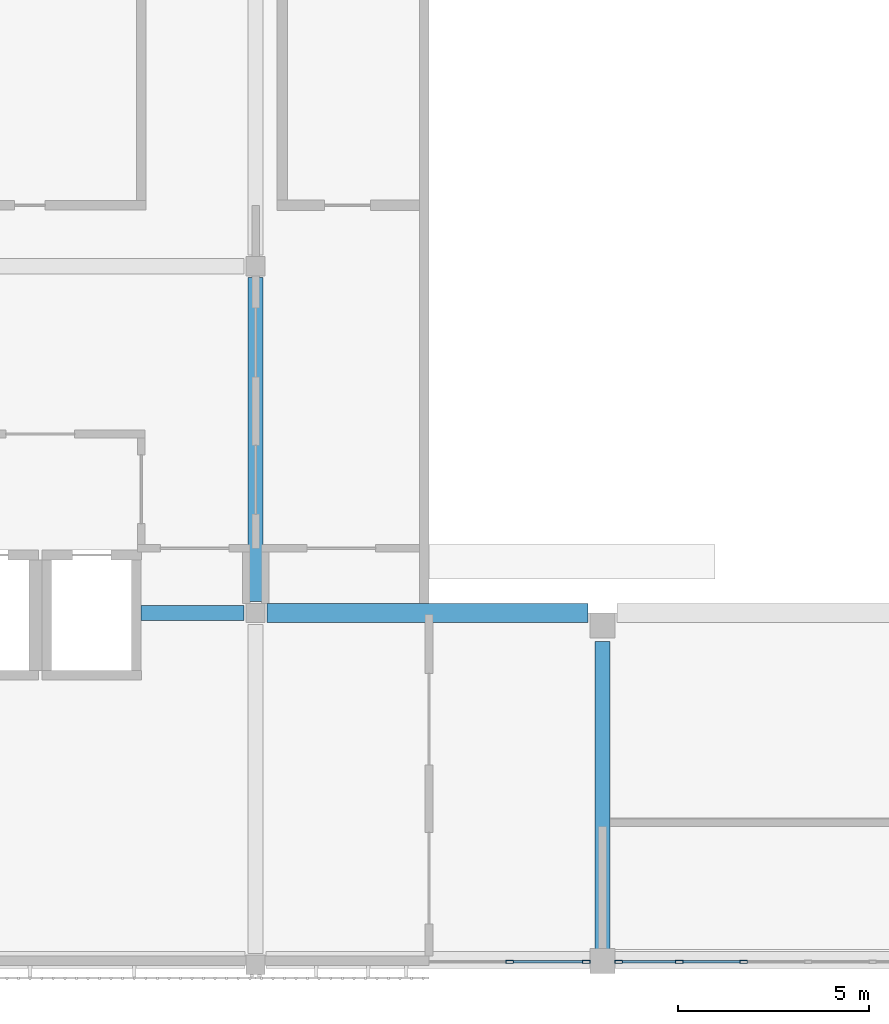
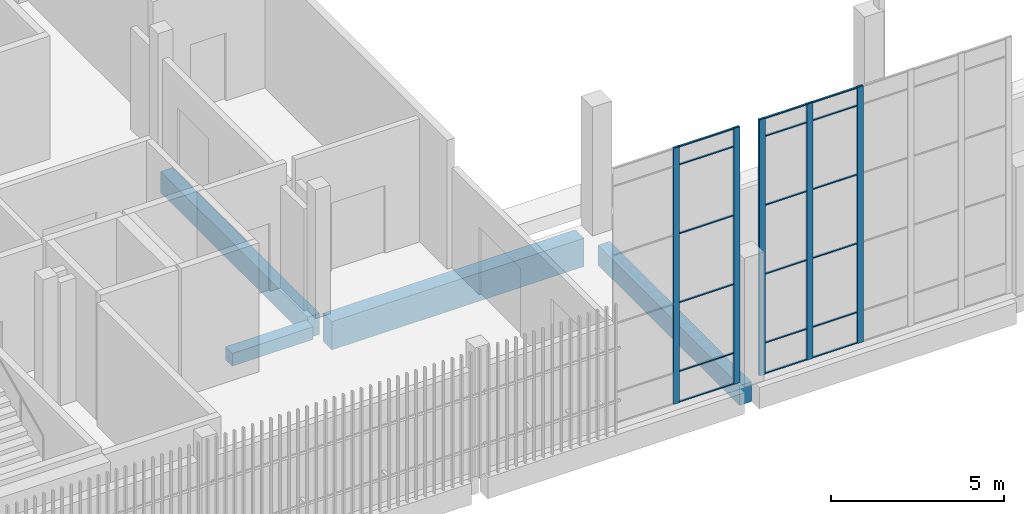
# One storey, part 4 of 91: 23 members, 4 beams, 2 elements without a shape of their own.
"""IFC4 building model written with IfcOpenShell, lengths in metres."""

from ifc_helpers import new_model, si_unit, direction, frame, origin, origin_2d, place, context, subcontext, project, spatial, rectangle, hollow_rectangle, extrude, material, layer, layer_set, material_profile, profile_set, type_object, element, aggregate, save


model = new_model("IFC4")

# Units and contexts
model_context = context("Model", 3, precision=1e-05, world=origin(), true_north=direction((0.0, 1.0)))
body_context = subcontext(model_context, "Body", "Model", "MODEL_VIEW")
ifc_project = project(units=[si_unit("LENGTHUNIT", "METRE"), si_unit("AREAUNIT", "SQUARE_METRE"), si_unit("VOLUMEUNIT", "CUBIC_METRE"), si_unit("PLANEANGLEUNIT", "RADIAN"), si_unit("MASSUNIT", "GRAM", prefix="KILO")], contexts=[model_context])

# Site, building, storey
site_placement = place(None, origin())
site = spatial("IfcSite", under=ifc_project, at=site_placement, CompositionType="ELEMENT")
building_placement = place(site_placement, origin())
building = spatial("IfcBuilding", under=site, at=building_placement, Name="Shirokan Park Arena", CompositionType="ELEMENT")
storey_placement = place(building_placement, frame((0.0, 0.0, 24.570068359375)))
storey = spatial("IfcBuildingStorey", under=building, at=storey_placement, Name="L05", CompositionType="ELEMENT", Elevation=24.570068359375)

# Curtain wall, members
ifc_material_1 = material(Name="Steel and glass curtain wall", Category="steel")
ifc_layer = layer(ifc_material_1, 0.199951171875)
ifc_layer_set = layer_set([ifc_layer], Name="Steel and glass curtain wall 200 mm")
curtain_wall_type = type_object("IfcCurtainWallType", Name="Curtain wall hall bay 200", PredefinedType="NOTDEFINED", material=ifc_layer_set)
curtain_wall_1_placement = place(storey_placement, origin())
curtain_wall_1 = element("IfcCurtainWall", 1, at=curtain_wall_1_placement, inside=storey, type_object=curtain_wall_type, Name="Curtain wall south bay 5 L05", PredefinedType="NOTDEFINED")
ifc_material_2 = material(Name="Steel S355", Category="steel")
ifc_material_profile_1 = material_profile(ifc_material_2, hollow_rectangle(XDim=0.080078125, YDim=0.199951171875, WallThickness=0.008056640625, at=origin_2d()), Name="RHS 200x80x8")
ifc_profile_set_1 = profile_set([ifc_material_profile_1], Name="Steel S355")
member_type_1 = type_object("IfcMemberType", Name="Mullion RHS 200x80x8", PredefinedType="MULLION", material=ifc_profile_set_1)
member_1_placement = place(storey_placement, frame((43.0625, -0.050048828125, 0.0), z_axis=(0.0, 0.0, 1.0), x_axis=(0.0, 1.0, 0.0)))
member_1 = element("IfcMember", 2, at=member_1_placement, type_object=member_type_1, Name="CW5 mullion 2", PredefinedType="MULLION", context=body_context, shape_type="SweptSolid", body=[
    extrude(hollow_rectangle(XDim=0.080078125, YDim=0.199951171875, WallThickness=0.008056640625, at=origin_2d()), origin(), (0.0, 0.0, 1.0), 9.050048828125),
])
member_2_placement = place(storey_placement, frame((45.074951171875, -0.050048828125, 0.0), z_axis=(0.0, 0.0, 1.0), x_axis=(0.0, 1.0, 0.0)))
member_2 = element("IfcMember", 3, at=member_2_placement, type_object=member_type_1, Name="CW5 mullion 3", PredefinedType="MULLION", context=body_context, shape_type="SweptSolid", body=[
    extrude(hollow_rectangle(XDim=0.080078125, YDim=0.199951171875, WallThickness=0.008056640625, at=origin_2d()), origin(), (0.0, 0.0, 1.0), 9.050048828125),
])

curtain_wall_2_placement = place(storey_placement, origin())
curtain_wall_2 = element("IfcCurtainWall", 4, at=curtain_wall_2_placement, inside=storey, type_object=curtain_wall_type, Name="Curtain wall south bay 6 L05", PredefinedType="NOTDEFINED")
member_3_placement = place(storey_placement, frame((45.925048828125, -0.050048828125, 0.0), z_axis=(0.0, 0.0, 1.0), x_axis=(0.0, 1.0, 0.0)))
member_3 = element("IfcMember", 5, at=member_3_placement, type_object=member_type_1, Name="CW5 mullion 1", PredefinedType="MULLION", context=body_context, shape_type="SweptSolid", body=[
    extrude(hollow_rectangle(XDim=0.080078125, YDim=0.199951171875, WallThickness=0.008056640625, at=origin_2d()), origin(), (0.0, 0.0, 1.0), 9.050048828125),
])
member_4_placement = place(storey_placement, frame((47.514892578125, -0.050048828125, 0.0), z_axis=(0.0, 0.0, 1.0), x_axis=(0.0, 1.0, 0.0)))
member_4 = element("IfcMember", 6, at=member_4_placement, type_object=member_type_1, Name="CW5 mullion 2", PredefinedType="MULLION", context=body_context, shape_type="SweptSolid", body=[
    extrude(hollow_rectangle(XDim=0.080078125, YDim=0.199951171875, WallThickness=0.008056640625, at=origin_2d()), origin(), (0.0, 0.0, 1.0), 9.050048828125),
])
member_5_placement = place(storey_placement, frame((49.205078125, -0.050048828125, 0.0), z_axis=(0.0, 0.0, 1.0), x_axis=(0.0, 1.0, 0.0)))
member_5 = element("IfcMember", 7, at=member_5_placement, type_object=member_type_1, Name="CW5 mullion 3", PredefinedType="MULLION", context=body_context, shape_type="SweptSolid", body=[
    extrude(hollow_rectangle(XDim=0.080078125, YDim=0.199951171875, WallThickness=0.008056640625, at=origin_2d()), origin(), (0.0, 0.0, 1.0), 9.050048828125),
])

# Beams
ifc_material_3 = material(Name="Concrete C35", Category="concrete")
ifc_material_profile_2 = material_profile(ifc_material_3, rectangle(XDim=0.39990234375, YDim=0.699951171875, at=origin_2d()), Name="400x700")
ifc_profile_set_2 = profile_set([ifc_material_profile_2], Name="Concrete C35")
beam_type_1 = type_object("IfcBeamType", Name="RC girder 400x700", PredefinedType="BEAM", material=ifc_profile_set_2)
beam_1_placement = place(storey_placement, frame((45.5, 0.150146484375, -0.650146484375), z_axis=(0.0, 1.0, 0.0), x_axis=(-1.0, 0.0, 0.0)))
element("IfcBeam", 8, at=beam_1_placement, inside=storey, type_object=beam_type_1, Name="Girder 6A-6B L05", PredefinedType="BEAM", context=body_context, shape_type="SweptSolid", body=[
    extrude(rectangle(XDim=0.39990234375, YDim=0.699951171875, at=origin_2d()), origin(), (0.0, 0.0, 1.0), 8.19970703125),
])
ifc_material_profile_3 = material_profile(ifc_material_3, rectangle(XDim=0.39990234375, YDim=0.75, at=origin_2d()), Name="400x750")
ifc_profile_set_3 = profile_set([ifc_material_profile_3], Name="Concrete C35")
beam_type_2 = type_object("IfcBeamType", Name="RC girder 400x750", PredefinedType="BEAM", material=ifc_profile_set_3)
beam_2_placement = place(storey_placement, frame((36.39990234375, 9.400146484375, -0.675048828125), z_axis=(0.0, 1.0, 0.0), x_axis=(-1.0, 0.0, 0.0)))
element("IfcBeam", 9, at=beam_2_placement, inside=storey, type_object=beam_type_2, Name="Girder 5B-5C L05", PredefinedType="BEAM", context=body_context, shape_type="SweptSolid", body=[
    extrude(rectangle(XDim=0.39990234375, YDim=0.75, at=origin_2d()), origin(), (0.0, 0.0, 1.0), 8.499755859375),
])
ifc_material_profile_4 = material_profile(ifc_material_3, rectangle(XDim=0.5, YDim=1.0, at=origin_2d()), Name="500x1000")
ifc_profile_set_4 = profile_set([ifc_material_profile_4], Name="Concrete C35")
beam_type_3 = type_object("IfcBeamType", Name="RC girder 500x1000", PredefinedType="BEAM", material=ifc_profile_set_4)
beam_3_placement = place(storey_placement, frame((36.7001953125, 9.10009765625, -0.800048828125), z_axis=(1.0, 0.0, 0.0), x_axis=(0.0, 1.0, 0.0)))
element("IfcBeam", 10, at=beam_3_placement, inside=storey, type_object=beam_type_3, Name="Girder 5B-6B L05", PredefinedType="BEAM", context=body_context, shape_type="SweptSolid", body=[
    extrude(rectangle(XDim=0.5, YDim=1.0, at=origin_2d()), origin(), (0.0, 0.0, 1.0), 8.4248046875),
])
ifc_material_profile_5 = material_profile(ifc_material_3, rectangle(XDim=0.39990234375, YDim=0.449951171875, at=origin_2d()), Name="400x450")
ifc_profile_set_5 = profile_set([ifc_material_profile_5], Name="Concrete C35")
beam_type_4 = type_object("IfcBeamType", Name="RC trimmer 400x450", PredefinedType="BEAM", material=ifc_profile_set_5)
beam_4_placement = place(storey_placement, frame((33.39990234375, 9.10009765625, -0.525146484375), z_axis=(1.0, 0.0, 0.0), x_axis=(0.0, 1.0, 0.0)))
element("IfcBeam", 11, at=beam_4_placement, inside=storey, type_object=beam_type_4, Name="Girder 4B-5B L05", PredefinedType="BEAM", context=body_context, shape_type="SweptSolid", body=[
    extrude(rectangle(XDim=0.39990234375, YDim=0.449951171875, at=origin_2d()), origin(), (0.0, 0.0, 1.0), 2.699951171875),
])

# Member
ifc_material_profile_6 = material_profile(ifc_material_2, hollow_rectangle(XDim=0.06005859375, YDim=0.0400390625, WallThickness=0.00390625, at=origin_2d()), Name="RHS 60x40x4")
ifc_profile_set_6 = profile_set([ifc_material_profile_6], Name="Steel S355")
member_type_2 = type_object("IfcMemberType", Name="Transom RHS 60x40x4", PredefinedType="MULLION", material=ifc_profile_set_6)
member_6_placement = place(storey_placement, frame((43.16259765625, -0.050048828125, 0.02001953125), z_axis=(1.0, 0.0, 0.0), x_axis=(0.0, 1.0, 0.0)))
member_6 = element("IfcMember", 12, at=member_6_placement, type_object=member_type_2, Name="CW5 transom 2.1", PredefinedType="MULLION", context=body_context, shape_type="SweptSolid", body=[
    extrude(hollow_rectangle(XDim=0.06005859375, YDim=0.0400390625, WallThickness=0.00390625, at=origin_2d()), origin(), (0.0, 0.0, 1.0), 1.8125),
])

member_7_placement = place(storey_placement, frame((43.16259765625, -0.050048828125, 1.099853515625), z_axis=(1.0, 0.0, 0.0), x_axis=(0.0, 1.0, 0.0)))
member_7 = element("IfcMember", 13, at=member_7_placement, type_object=member_type_2, Name="CW5 transom 2.2", PredefinedType="MULLION", context=body_context, shape_type="SweptSolid", body=[
    extrude(hollow_rectangle(XDim=0.06005859375, YDim=0.0400390625, WallThickness=0.00390625, at=origin_2d()), origin(), (0.0, 0.0, 1.0), 1.8125),
])

member_8_placement = place(storey_placement, frame((43.16259765625, -0.050048828125, 3.533203125), z_axis=(1.0, 0.0, 0.0), x_axis=(0.0, 1.0, 0.0)))
member_8 = element("IfcMember", 14, at=member_8_placement, type_object=member_type_2, Name="CW5 transom 2.3", PredefinedType="MULLION", context=body_context, shape_type="SweptSolid", body=[
    extrude(hollow_rectangle(XDim=0.06005859375, YDim=0.0400390625, WallThickness=0.00390625, at=origin_2d()), origin(), (0.0, 0.0, 1.0), 1.8125),
])

member_9_placement = place(storey_placement, frame((43.16259765625, -0.050048828125, 5.966552734375), z_axis=(1.0, 0.0, 0.0), x_axis=(0.0, 1.0, 0.0)))
member_9 = element("IfcMember", 15, at=member_9_placement, type_object=member_type_2, Name="CW5 transom 2.4", PredefinedType="MULLION", context=body_context, shape_type="SweptSolid", body=[
    extrude(hollow_rectangle(XDim=0.06005859375, YDim=0.0400390625, WallThickness=0.00390625, at=origin_2d()), origin(), (0.0, 0.0, 1.0), 1.8125),
])

member_10_placement = place(storey_placement, frame((43.16259765625, -0.050048828125, 8.39990234375), z_axis=(1.0, 0.0, 0.0), x_axis=(0.0, 1.0, 0.0)))
member_10 = element("IfcMember", 16, at=member_10_placement, type_object=member_type_2, Name="CW5 transom 2.5", PredefinedType="MULLION", context=body_context, shape_type="SweptSolid", body=[
    extrude(hollow_rectangle(XDim=0.06005859375, YDim=0.0400390625, WallThickness=0.00390625, at=origin_2d()), origin(), (0.0, 0.0, 1.0), 1.8125),
])

member_11_placement = place(storey_placement, frame((43.16259765625, -0.050048828125, 9.030029296875), z_axis=(1.0, 0.0, 0.0), x_axis=(0.0, 1.0, 0.0)))
member_11 = element("IfcMember", 17, at=member_11_placement, type_object=member_type_2, Name="CW5 transom 2.6", PredefinedType="MULLION", context=body_context, shape_type="SweptSolid", body=[
    extrude(hollow_rectangle(XDim=0.06005859375, YDim=0.0400390625, WallThickness=0.00390625, at=origin_2d()), origin(), (0.0, 0.0, 1.0), 1.8125),
])

aggregate(curtain_wall_1, [member_1, member_2, member_6, member_7, member_8, member_9, member_10, member_11])

member_12_placement = place(storey_placement, frame((46.02490234375, -0.050048828125, 0.02001953125), z_axis=(1.0, 0.0, 0.0), x_axis=(0.0, 1.0, 0.0)))
member_12 = element("IfcMember", 18, at=member_12_placement, type_object=member_type_2, Name="CW5 transom 1.1", PredefinedType="MULLION", context=body_context, shape_type="SweptSolid", body=[
    extrude(hollow_rectangle(XDim=0.06005859375, YDim=0.0400390625, WallThickness=0.00390625, at=origin_2d()), origin(), (0.0, 0.0, 1.0), 1.39013671875),
])

member_13_placement = place(storey_placement, frame((46.02490234375, -0.050048828125, 1.099853515625), z_axis=(1.0, 0.0, 0.0), x_axis=(0.0, 1.0, 0.0)))
member_13 = element("IfcMember", 19, at=member_13_placement, type_object=member_type_2, Name="CW5 transom 1.2", PredefinedType="MULLION", context=body_context, shape_type="SweptSolid", body=[
    extrude(hollow_rectangle(XDim=0.06005859375, YDim=0.0400390625, WallThickness=0.00390625, at=origin_2d()), origin(), (0.0, 0.0, 1.0), 1.39013671875),
])

member_14_placement = place(storey_placement, frame((46.02490234375, -0.050048828125, 3.533203125), z_axis=(1.0, 0.0, 0.0), x_axis=(0.0, 1.0, 0.0)))
member_14 = element("IfcMember", 20, at=member_14_placement, type_object=member_type_2, Name="CW5 transom 1.3", PredefinedType="MULLION", context=body_context, shape_type="SweptSolid", body=[
    extrude(hollow_rectangle(XDim=0.06005859375, YDim=0.0400390625, WallThickness=0.00390625, at=origin_2d()), origin(), (0.0, 0.0, 1.0), 1.39013671875),
])

member_15_placement = place(storey_placement, frame((46.02490234375, -0.050048828125, 5.966552734375), z_axis=(1.0, 0.0, 0.0), x_axis=(0.0, 1.0, 0.0)))
member_15 = element("IfcMember", 21, at=member_15_placement, type_object=member_type_2, Name="CW5 transom 1.4", PredefinedType="MULLION", context=body_context, shape_type="SweptSolid", body=[
    extrude(hollow_rectangle(XDim=0.06005859375, YDim=0.0400390625, WallThickness=0.00390625, at=origin_2d()), origin(), (0.0, 0.0, 1.0), 1.39013671875),
])

member_16_placement = place(storey_placement, frame((46.02490234375, -0.050048828125, 8.39990234375), z_axis=(1.0, 0.0, 0.0), x_axis=(0.0, 1.0, 0.0)))
member_16 = element("IfcMember", 22, at=member_16_placement, type_object=member_type_2, Name="CW5 transom 1.5", PredefinedType="MULLION", context=body_context, shape_type="SweptSolid", body=[
    extrude(hollow_rectangle(XDim=0.06005859375, YDim=0.0400390625, WallThickness=0.00390625, at=origin_2d()), origin(), (0.0, 0.0, 1.0), 1.39013671875),
])

member_17_placement = place(storey_placement, frame((46.02490234375, -0.050048828125, 9.030029296875), z_axis=(1.0, 0.0, 0.0), x_axis=(0.0, 1.0, 0.0)))
member_17 = element("IfcMember", 23, at=member_17_placement, type_object=member_type_2, Name="CW5 transom 1.6", PredefinedType="MULLION", context=body_context, shape_type="SweptSolid", body=[
    extrude(hollow_rectangle(XDim=0.06005859375, YDim=0.0400390625, WallThickness=0.00390625, at=origin_2d()), origin(), (0.0, 0.0, 1.0), 1.39013671875),
])

member_18_placement = place(storey_placement, frame((47.614990234375, -0.050048828125, 0.02001953125), z_axis=(1.0, 0.0, 0.0), x_axis=(0.0, 1.0, 0.0)))
member_18 = element("IfcMember", 24, at=member_18_placement, type_object=member_type_2, Name="CW5 transom 2.1", PredefinedType="MULLION", context=body_context, shape_type="SweptSolid", body=[
    extrude(hollow_rectangle(XDim=0.06005859375, YDim=0.0400390625, WallThickness=0.00390625, at=origin_2d()), origin(), (0.0, 0.0, 1.0), 1.489990234375),
])

member_19_placement = place(storey_placement, frame((47.614990234375, -0.050048828125, 1.099853515625), z_axis=(1.0, 0.0, 0.0), x_axis=(0.0, 1.0, 0.0)))
member_19 = element("IfcMember", 25, at=member_19_placement, type_object=member_type_2, Name="CW5 transom 2.2", PredefinedType="MULLION", context=body_context, shape_type="SweptSolid", body=[
    extrude(hollow_rectangle(XDim=0.06005859375, YDim=0.0400390625, WallThickness=0.00390625, at=origin_2d()), origin(), (0.0, 0.0, 1.0), 1.489990234375),
])

member_20_placement = place(storey_placement, frame((47.614990234375, -0.050048828125, 3.533203125), z_axis=(1.0, 0.0, 0.0), x_axis=(0.0, 1.0, 0.0)))
member_20 = element("IfcMember", 26, at=member_20_placement, type_object=member_type_2, Name="CW5 transom 2.3", PredefinedType="MULLION", context=body_context, shape_type="SweptSolid", body=[
    extrude(hollow_rectangle(XDim=0.06005859375, YDim=0.0400390625, WallThickness=0.00390625, at=origin_2d()), origin(), (0.0, 0.0, 1.0), 1.489990234375),
])

member_21_placement = place(storey_placement, frame((47.614990234375, -0.050048828125, 5.966552734375), z_axis=(1.0, 0.0, 0.0), x_axis=(0.0, 1.0, 0.0)))
member_21 = element("IfcMember", 27, at=member_21_placement, type_object=member_type_2, Name="CW5 transom 2.4", PredefinedType="MULLION", context=body_context, shape_type="SweptSolid", body=[
    extrude(hollow_rectangle(XDim=0.06005859375, YDim=0.0400390625, WallThickness=0.00390625, at=origin_2d()), origin(), (0.0, 0.0, 1.0), 1.489990234375),
])

member_22_placement = place(storey_placement, frame((47.614990234375, -0.050048828125, 8.39990234375), z_axis=(1.0, 0.0, 0.0), x_axis=(0.0, 1.0, 0.0)))
member_22 = element("IfcMember", 28, at=member_22_placement, type_object=member_type_2, Name="CW5 transom 2.5", PredefinedType="MULLION", context=body_context, shape_type="SweptSolid", body=[
    extrude(hollow_rectangle(XDim=0.06005859375, YDim=0.0400390625, WallThickness=0.00390625, at=origin_2d()), origin(), (0.0, 0.0, 1.0), 1.489990234375),
])

member_23_placement = place(storey_placement, frame((47.614990234375, -0.050048828125, 9.030029296875), z_axis=(1.0, 0.0, 0.0), x_axis=(0.0, 1.0, 0.0)))
member_23 = element("IfcMember", 29, at=member_23_placement, type_object=member_type_2, Name="CW5 transom 2.6", PredefinedType="MULLION", context=body_context, shape_type="SweptSolid", body=[
    extrude(hollow_rectangle(XDim=0.06005859375, YDim=0.0400390625, WallThickness=0.00390625, at=origin_2d()), origin(), (0.0, 0.0, 1.0), 1.489990234375),
])

aggregate(curtain_wall_2, [member_3, member_4, member_5, member_12, member_13, member_14, member_15, member_16, member_17, member_18, member_19, member_20, member_21, member_22, member_23])

save(model, "model.ifc")
